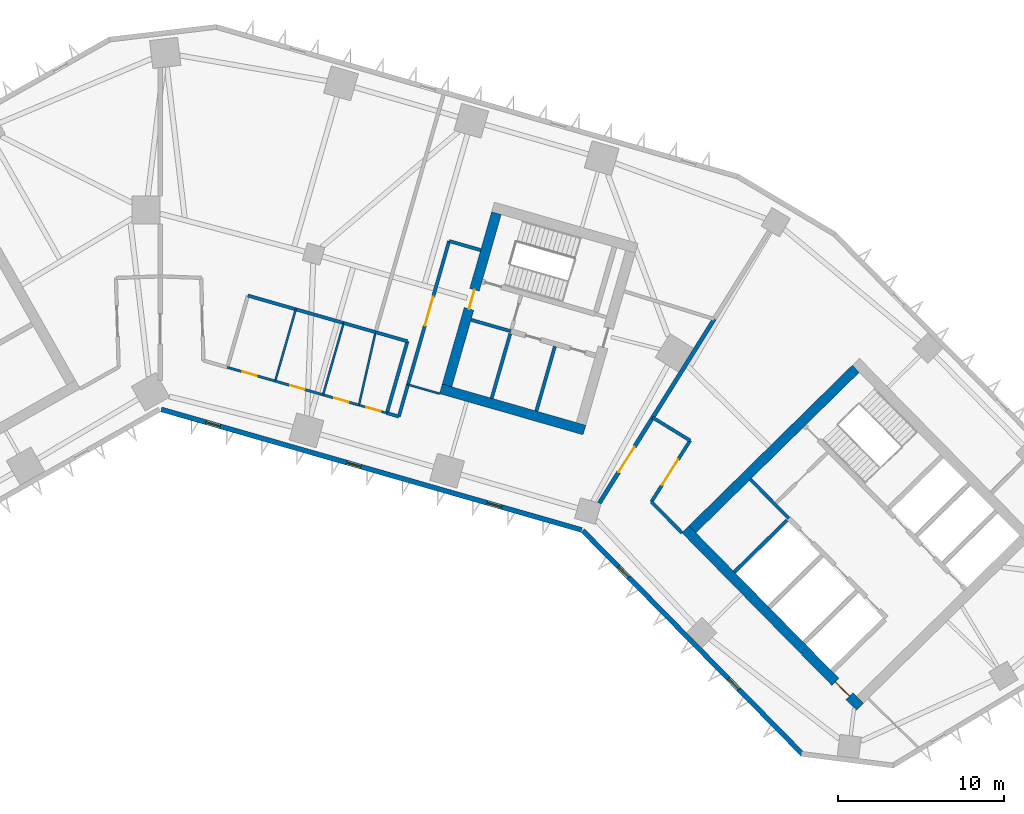
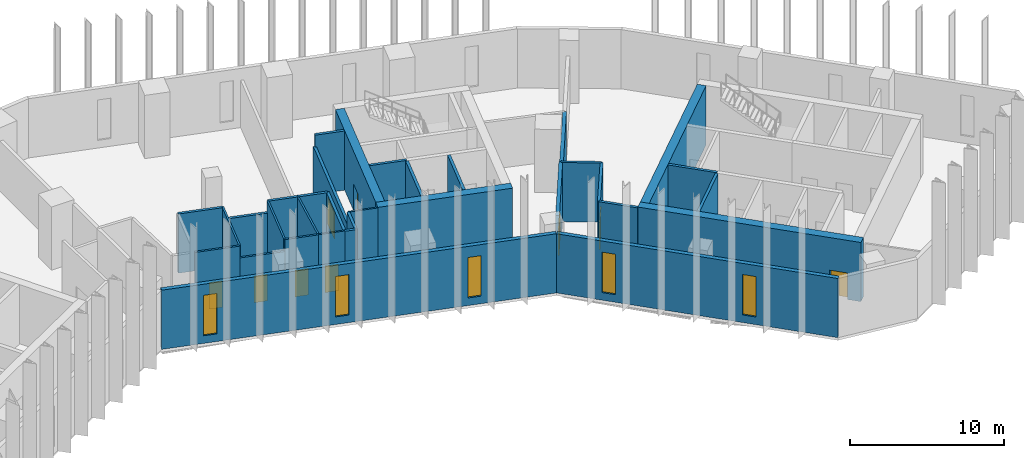
# One storey, part 5 of 11: 33 walls, 9 doors, 5 windows, 14 openings.
"""IFC4 building model written with IfcOpenShell, lengths in metres."""

from ifc_helpers import new_model, si_unit, direction, frame, frame_2d, origin, place, context, subcontext, project, spatial, rectangle, extrude, material, layer, layer_set, type_object, element, fill, save


model = new_model("IFC4")

# Units and contexts
model_context = context("Model", 3, precision=1e-05, world=origin(), true_north=direction((0.0, 1.0)))
body_context = subcontext(model_context, "Body", "Model", "MODEL_VIEW")
ifc_project = project(units=[si_unit("LENGTHUNIT", "METRE"), si_unit("AREAUNIT", "SQUARE_METRE"), si_unit("VOLUMEUNIT", "CUBIC_METRE"), si_unit("PLANEANGLEUNIT", "RADIAN"), si_unit("MASSUNIT", "GRAM", prefix="KILO")], contexts=[model_context])

# Site, building, storey
site_placement = place(None, origin())
site = spatial("IfcSite", under=ifc_project, at=site_placement, CompositionType="ELEMENT")
building_placement = place(site_placement, origin())
building = spatial("IfcBuilding", under=site, at=building_placement, Name="Binnacle Exchange Tower", CompositionType="ELEMENT")
storey_placement = place(building_placement, frame((0.0, 0.0, 36.5)))
storey = spatial("IfcBuildingStorey", under=building, at=storey_placement, Name="L07", CompositionType="ELEMENT", Elevation=36.5)

# Wall
ifc_material_1 = material(Name="Gypsum partition fire rated")
ifc_layer_1 = layer(ifc_material_1, 0.199951171875)
ifc_layer_set_1 = layer_set([ifc_layer_1], Name="Core partition 200")
wall_type_1 = type_object("IfcWallType", Name="Core partition 200", PredefinedType="PARTITIONING", material=ifc_layer_set_1)
wall_1_placement = place(storey_placement, frame((22.664794921875, 47.88330078125, 0.0), z_axis=(0.0, 0.0, 1.0), x_axis=(0.275596769212, 0.961273333033, 0.0)))
element("IfcWall", 1, at=wall_1_placement, inside=storey, type_object=wall_type_1, Name="Core wall CRWD10", PredefinedType="PARTITIONING", context=body_context, shape_type="SweptSolid", body=[
    extrude(rectangle(XDim=4.050048828125, YDim=0.199951171875, at=frame_2d((2.02490234375, 0.0))), origin(), (0.0, 0.0, 1.0), 4.679931640625),
])

# Wall, opening, door
ifc_material_2 = material(Name="Concrete C70/85", Category="concrete")
ifc_layer_2 = layer(ifc_material_2, 0.60009765625)
ifc_layer_set_2 = layer_set([ifc_layer_2], Name="Core wall - outer 600")
wall_type_2 = type_object("IfcWallType", Name="Core wall - outer 600", PredefinedType="SOLIDWALL", material=ifc_layer_set_2)
wall_2_placement = place(storey_placement, frame((31.6455078125, 40.7626953125, 0.0), z_axis=(0.0, 0.0, 1.0), x_axis=(0.700911255944, -0.713248491965, 0.0)))
wall_2 = element("IfcWall", 2, at=wall_2_placement, inside=storey, type_object=wall_type_2, Name="Core wall CRWB1", PredefinedType="SOLIDWALL", context=body_context, shape_type="SweptSolid", body=[
    extrude(rectangle(XDim=15.0, YDim=0.60009765625, at=frame_2d((7.5, 0.0))), origin(), (0.0, 0.0, 1.0), 4.679931640625),
])
opening_1_placement = place(wall_2_placement, frame((12.89990234375, 0.0, 0.0)))
opening_1 = element("IfcOpeningElement", 3, at=opening_1_placement, cuts=wall_2, Name="Opening DB7", PredefinedType="OPENING", context=body_context, shape_type="SweptSolid", body=[
    extrude(rectangle(XDim=1.199951171875, YDim=2.10009765625, at=frame_2d((0.60009765625, 1.050048828125))), frame((0.0, 0.31005859375, 0.0), z_axis=(0.0, -1.0, 0.0), x_axis=(1.0, 0.0, 0.0)), (0.0, 0.0, 1.0), 0.6201171875),
])
ifc_material_3 = material(Name="Steel door leaf", Category="steel")
door_type_1 = type_object("IfcDoorType", Name="Fire door 1200", OperationType="NOTDEFINED", PredefinedType="DOOR", material=ifc_material_3)
door_1_placement = place(opening_1_placement, frame((1.199951171875, 0.0, 0.0), z_axis=(0.0, 0.0, 1.0), x_axis=(-1.0, 0.0, 0.0)))
door_1 = element("IfcDoor", 4, at=door_1_placement, inside=storey, type_object=door_type_1, Name="Lift lobby entrance door core B", OperationType="SINGLE_SWING_LEFT", OverallHeight=2.10009765625, OverallWidth=1.199951171875, PredefinedType="DOOR", context=body_context, shape_type="SweptSolid", body=[
    extrude(rectangle(XDim=1.199951171875, YDim=2.10009765625, at=frame_2d((0.60009765625, 1.050048828125))), frame((0.0, 0.02490234375, 0.0), z_axis=(0.0, -1.0, 0.0), x_axis=(1.0, 0.0, 0.0)), (0.0, 0.0, 1.0), 0.050048828125),
])
fill(opening_1, door_1)

# Walls
wall_3_placement = place(storey_placement, frame((32.06982421875, 40.759033203125, 0.0), z_axis=(0.0, 0.0, 1.0), x_axis=(0.713245344712, 0.70091445858, 0.0)))
element("IfcWall", 5, at=wall_3_placement, inside=storey, type_object=wall_type_2, Name="Core wall CRWB7", PredefinedType="SOLIDWALL", context=body_context, shape_type="SweptSolid", body=[
    extrude(rectangle(XDim=13.800048828125, YDim=0.60009765625, at=frame_2d((6.89990234375, 0.0))), origin(), (0.0, 0.0, 1.0), 4.679931640625),
])
wall_4_placement = place(storey_placement, frame((16.91064453125, 49.22119140625, 0.0), z_axis=(0.0, 0.0, 1.0), x_axis=(0.96126248289, -0.275634611374, 0.0)))
element("IfcWall", 6, at=wall_4_placement, inside=storey, type_object=wall_type_2, Name="Core wall CRWD1", PredefinedType="SOLIDWALL", context=body_context, shape_type="SweptSolid", body=[
    extrude(rectangle(XDim=9.0, YDim=0.60009765625, at=frame_2d((4.5, 0.0))), origin(), (0.0, 0.0, 1.0), 4.679931640625),
])

# Wall, opening, door
wall_5_placement = place(storey_placement, frame((17.28173828125, 49.427001953125, 0.0), z_axis=(0.0, 0.0, 1.0), x_axis=(0.275631631629, 0.961263337304, 0.0)))
wall_5 = element("IfcWall", 7, at=wall_5_placement, inside=storey, type_object=wall_type_2, Name="Core wall CRWD7", PredefinedType="SOLIDWALL", context=body_context, shape_type="SweptSolid", body=[
    extrude(rectangle(XDim=10.800048828125, YDim=0.60009765625, at=frame_2d((5.39990234375, 0.0))), origin(), (0.0, 0.0, 1.0), 4.679931640625),
])
opening_2_placement = place(wall_5_placement, frame((4.800048828125, 0.0, 0.0)))
opening_2 = element("IfcOpeningElement", 8, at=opening_2_placement, cuts=wall_5, Name="Opening DD5", PredefinedType="OPENING", context=body_context, shape_type="SweptSolid", body=[
    extrude(rectangle(XDim=1.199951171875, YDim=2.10009765625, at=frame_2d((0.60009765625, 1.050048828125))), frame((0.0, 0.31005859375, 0.0), z_axis=(0.0, -1.0, 0.0), x_axis=(1.0, 0.0, 0.0)), (0.0, 0.0, 1.0), 0.6201171875),
])
door_2_placement = place(opening_2_placement, origin())
door_2 = element("IfcDoor", 9, at=door_2_placement, inside=storey, type_object=door_type_1, Name="Vestibule exit door VEST-W", OperationType="SINGLE_SWING_RIGHT", OverallHeight=2.10009765625, OverallWidth=1.199951171875, PredefinedType="DOOR", context=body_context, shape_type="SweptSolid", body=[
    extrude(rectangle(XDim=1.199951171875, YDim=2.10009765625, at=frame_2d((0.60009765625, 1.050048828125))), frame((0.0, 0.02490234375, 0.0), z_axis=(0.0, -1.0, 0.0), x_axis=(1.0, 0.0, 0.0)), (0.0, 0.0, 1.0), 0.050048828125),
])
fill(opening_2, door_2)

# Wall, openings, windows
ifc_material_4 = material(Name="Bronze aluminium cladding", Category="aluminium")
ifc_layer_3 = layer(ifc_material_4, 0.300048828125)
ifc_layer_set_3 = layer_set([ifc_layer_3], Name="External wall - spandrel 300")
wall_type_3 = type_object("IfcWallType", Name="External wall - spandrel 300", PredefinedType="STANDARD", material=ifc_layer_set_3)
wall_6_placement = place(storey_placement, frame((25.398193359375, 40.71728515625, 0.0), z_axis=(0.0, 0.0, 1.0), x_axis=(-0.961262423262, 0.275634819324, 0.0)))
wall_6 = element("IfcWall", 10, at=wall_6_placement, inside=storey, type_object=wall_type_3, Name="External wall EW-F08 L07", PredefinedType="STANDARD", context=body_context, shape_type="SweptSolid", body=[
    extrude(rectangle(XDim=26.358642578125, YDim=0.300048828125, at=frame_2d((13.17919921875, 0.0))), origin(), (0.0, 0.0, 1.0), 4.679931640625),
])
opening_3_placement = place(wall_6_placement, frame((22.6640625, 0.0, 0.60009765625)))
opening_3 = element("IfcOpeningElement", 11, at=opening_3_placement, cuts=wall_6, Name="Opening WS1", PredefinedType="OPENING", context=body_context, shape_type="SweptSolid", body=[
    extrude(rectangle(XDim=0.89990234375, YDim=3.199951171875, at=frame_2d((0.449951171875, 1.60009765625))), frame((0.0, 0.159912109375, 0.0), z_axis=(0.0, -1.0, 0.0), x_axis=(1.0, 0.0, 0.0)), (0.0, 0.0, 1.0), 0.320068359375),
])
opening_4_placement = place(wall_6_placement, frame((13.843505859375, 0.0, 0.60009765625)))
opening_4 = element("IfcOpeningElement", 12, at=opening_4_placement, cuts=wall_6, Name="Opening WS1", PredefinedType="OPENING", context=body_context, shape_type="SweptSolid", body=[
    extrude(rectangle(XDim=0.89990234375, YDim=3.199951171875, at=frame_2d((0.449951171875, 1.60009765625))), frame((0.0, 0.159912109375, 0.0), z_axis=(0.0, -1.0, 0.0), x_axis=(1.0, 0.0, 0.0)), (0.0, 0.0, 1.0), 0.320068359375),
])
opening_5_placement = place(wall_6_placement, frame((5.023193359375, 0.0, 0.60009765625)))
opening_5 = element("IfcOpeningElement", 13, at=opening_5_placement, cuts=wall_6, Name="Opening WS1", PredefinedType="OPENING", context=body_context, shape_type="SweptSolid", body=[
    extrude(rectangle(XDim=0.89990234375, YDim=3.199951171875, at=frame_2d((0.449951171875, 1.60009765625))), frame((0.0, 0.159912109375, 0.0), z_axis=(0.0, -1.0, 0.0), x_axis=(1.0, 0.0, 0.0)), (0.0, 0.0, 1.0), 0.320068359375),
])
ifc_material_5 = material(Name="Bronze anodised aluminium frame", Category="aluminium")
window_type = type_object("IfcWindowType", Name="WS1 WINDOW 900x3200", PartitioningType="SINGLE_PANEL", PredefinedType="WINDOW", material=ifc_material_5)
window_1_placement = place(opening_3_placement, origin())
window_1 = element("IfcWindow", 14, at=window_1_placement, inside=storey, type_object=window_type, Name="Window WS1 L07", OverallHeight=3.199951171875, OverallWidth=0.89990234375, PartitioningType="SINGLE_PANEL", PredefinedType="WINDOW", context=body_context, shape_type="SweptSolid", body=[
    extrude(rectangle(XDim=0.89990234375, YDim=3.199951171875, at=frame_2d((0.449951171875, 1.60009765625))), frame((0.0, 0.030029296875, 0.0), z_axis=(0.0, -1.0, 0.0), x_axis=(1.0, 0.0, 0.0)), (0.0, 0.0, 1.0), 0.06005859375),
])
fill(opening_3, window_1)
window_2_placement = place(opening_4_placement, origin())
window_2 = element("IfcWindow", 15, at=window_2_placement, inside=storey, type_object=window_type, Name="Window WS1 L07", OverallHeight=3.199951171875, OverallWidth=0.89990234375, PartitioningType="SINGLE_PANEL", PredefinedType="WINDOW", context=body_context, shape_type="SweptSolid", body=[
    extrude(rectangle(XDim=0.89990234375, YDim=3.199951171875, at=frame_2d((0.449951171875, 1.60009765625))), frame((0.0, 0.030029296875, 0.0), z_axis=(0.0, -1.0, 0.0), x_axis=(1.0, 0.0, 0.0)), (0.0, 0.0, 1.0), 0.06005859375),
])
fill(opening_4, window_2)
window_3_placement = place(opening_5_placement, origin())
window_3 = element("IfcWindow", 16, at=window_3_placement, inside=storey, type_object=window_type, Name="Window WS1 L07", OverallHeight=3.199951171875, OverallWidth=0.89990234375, PartitioningType="SINGLE_PANEL", PredefinedType="WINDOW", context=body_context, shape_type="SweptSolid", body=[
    extrude(rectangle(XDim=0.89990234375, YDim=3.199951171875, at=frame_2d((0.449951171875, 1.60009765625))), frame((0.0, 0.030029296875, 0.0), z_axis=(0.0, -1.0, 0.0), x_axis=(1.0, 0.0, 0.0)), (0.0, 0.0, 1.0), 0.06005859375),
])
fill(opening_5, window_3)

wall_7_placement = place(storey_placement, frame((38.727294921875, 27.18115234375, 0.0), z_axis=(0.0, 0.0, 1.0), x_axis=(-0.700906405975, 0.713253258011, 0.0)))
wall_7 = element("IfcWall", 17, at=wall_7_placement, inside=storey, type_object=wall_type_3, Name="External wall EW-F09 L07", PredefinedType="STANDARD", context=body_context, shape_type="SweptSolid", body=[
    extrude(rectangle(XDim=18.92333984375, YDim=0.300048828125, at=frame_2d((9.461669921875, 0.0))), origin(), (0.0, 0.0, 1.0), 4.679931640625),
])
opening_6_placement = place(wall_7_placement, frame((14.967041015625, 0.0, 0.60009765625)))
opening_6 = element("IfcOpeningElement", 18, at=opening_6_placement, cuts=wall_7, Name="Opening WS1", PredefinedType="OPENING", context=body_context, shape_type="SweptSolid", body=[
    extrude(rectangle(XDim=0.89990234375, YDim=3.199951171875, at=frame_2d((0.449951171875, 1.60009765625))), frame((0.0, 0.159912109375, 0.0), z_axis=(0.0, -1.0, 0.0), x_axis=(1.0, 0.0, 0.0)), (0.0, 0.0, 1.0), 0.320068359375),
])
opening_7_placement = place(wall_7_placement, frame((5.51171875, 0.0, 0.60009765625)))
opening_7 = element("IfcOpeningElement", 19, at=opening_7_placement, cuts=wall_7, Name="Opening WS1", PredefinedType="OPENING", context=body_context, shape_type="SweptSolid", body=[
    extrude(rectangle(XDim=0.89990234375, YDim=3.199951171875, at=frame_2d((0.449951171875, 1.60009765625))), frame((0.0, 0.159912109375, 0.0), z_axis=(0.0, -1.0, 0.0), x_axis=(1.0, 0.0, 0.0)), (0.0, 0.0, 1.0), 0.320068359375),
])
window_4_placement = place(opening_6_placement, origin())
window_4 = element("IfcWindow", 20, at=window_4_placement, inside=storey, type_object=window_type, Name="Window WS1 L07", OverallHeight=3.199951171875, OverallWidth=0.89990234375, PartitioningType="SINGLE_PANEL", PredefinedType="WINDOW", context=body_context, shape_type="SweptSolid", body=[
    extrude(rectangle(XDim=0.89990234375, YDim=3.199951171875, at=frame_2d((0.449951171875, 1.60009765625))), frame((0.0, 0.030029296875, 0.0), z_axis=(0.0, -1.0, 0.0), x_axis=(1.0, 0.0, 0.0)), (0.0, 0.0, 1.0), 0.06005859375),
])
fill(opening_6, window_4)
window_5_placement = place(opening_7_placement, origin())
window_5 = element("IfcWindow", 21, at=window_5_placement, inside=storey, type_object=window_type, Name="Window WS1 L07", OverallHeight=3.199951171875, OverallWidth=0.89990234375, PartitioningType="SINGLE_PANEL", PredefinedType="WINDOW", context=body_context, shape_type="SweptSolid", body=[
    extrude(rectangle(XDim=0.89990234375, YDim=3.199951171875, at=frame_2d((0.449951171875, 1.60009765625))), frame((0.0, 0.030029296875, 0.0), z_axis=(0.0, -1.0, 0.0), x_axis=(1.0, 0.0, 0.0)), (0.0, 0.0, 1.0), 0.06005859375),
])
fill(opening_7, window_5)

# Walls
ifc_material_6 = material(Name="Masonry block wall", Category="masonry")
ifc_layer_4 = layer(ifc_material_6, 0.199951171875)
ifc_layer_set_4 = layer_set([ifc_layer_4], Name="Fire wall - block 200")
wall_type_4 = type_object("IfcWallType", Name="Fire wall - block 200", PredefinedType="PARTITIONING", material=ifc_layer_set_4)
wall_8_placement = place(storey_placement, frame((5.283935546875, 54.843994140625, 0.0), z_axis=(0.0, 0.0, 1.0), x_axis=(0.961243927922, -0.275699312717, 0.0)))
element("IfcWall", 22, at=wall_8_placement, inside=storey, type_object=wall_type_4, Name="Partition W17", PredefinedType="PARTITIONING", context=body_context, shape_type="SweptSolid", body=[
    extrude(rectangle(XDim=2.999267578125, YDim=0.199951171875, at=frame_2d((1.49951171875, 0.0))), origin(), (0.0, 0.0, 1.0), 4.679931640625),
])
wall_9_placement = place(storey_placement, frame((8.1669921875, 54.01708984375, 0.0), z_axis=(0.0, 0.0, 1.0), x_axis=(0.961247103494, -0.275688240636, 0.0)))
element("IfcWall", 23, at=wall_9_placement, inside=storey, type_object=wall_type_4, Name="Partition W20", PredefinedType="PARTITIONING", context=body_context, shape_type="SweptSolid", body=[
    extrude(rectangle(XDim=3.000244140625, YDim=0.199951171875, at=frame_2d((1.5, 0.0))), origin(), (0.0, 0.0, 1.0), 3.741943359375),
])
wall_10_placement = place(storey_placement, frame((11.051025390625, 53.18994140625, 0.0), z_axis=(0.0, 0.0, 1.0), x_axis=(0.961316434736, -0.275446387355, 0.0)))
element("IfcWall", 24, at=wall_10_placement, inside=storey, type_object=wall_type_4, Name="Partition W23", PredefinedType="PARTITIONING", context=body_context, shape_type="SweptSolid", body=[
    extrude(rectangle(XDim=2.00048828125, YDim=0.199951171875, at=frame_2d((1.000244140625, 0.0))), origin(), (0.0, 0.0, 1.0), 4.679931640625),
])
wall_11_placement = place(storey_placement, frame((12.97412109375, 52.638916015625, 0.0), z_axis=(0.0, 0.0, 1.0), x_axis=(0.961270097305, -0.275608055084, 0.0)))
element("IfcWall", 25, at=wall_11_placement, inside=storey, type_object=wall_type_4, Name="Partition W26", PredefinedType="PARTITIONING", context=body_context, shape_type="SweptSolid", body=[
    extrude(rectangle(XDim=1.999267578125, YDim=0.199951171875, at=frame_2d((0.99951171875, 0.0))), origin(), (0.0, 0.0, 1.0), 4.679931640625),
])
wall_12_placement = place(storey_placement, frame((13.656005859375, 47.761962890625, 0.0), z_axis=(0.0, 0.0, 1.0), x_axis=(0.961154610169, -0.276010534854, 0.0)))
element("IfcWall", 26, at=wall_12_placement, inside=storey, type_object=wall_type_4, Name="Partition W28", PredefinedType="PARTITIONING", context=body_context, shape_type="SweptSolid", body=[
    extrude(rectangle(XDim=0.75, YDim=0.199951171875, at=frame_2d((0.375, 0.0))), origin(), (0.0, 0.0, 1.0), 4.679931640625),
])
wall_13_placement = place(storey_placement, frame((13.656005859375, 47.761962890625, 0.0), z_axis=(0.0, 0.0, 1.0), x_axis=(0.275545040649, 0.96128816209, 0.0)))
element("IfcWall", 27, at=wall_13_placement, inside=storey, type_object=wall_type_4, Name="Partition W29", PredefinedType="PARTITIONING", context=body_context, shape_type="SweptSolid", body=[
    extrude(rectangle(XDim=4.500244140625, YDim=0.199951171875, at=frame_2d((2.25, 0.0))), origin(), (0.0, 0.0, 1.0), 4.679931640625),
])
wall_14_placement = place(storey_placement, frame((14.376953125, 47.554931640625, 0.0), z_axis=(0.0, 0.0, 1.0), x_axis=(0.275446387355, 0.961316434736, 0.0)))
element("IfcWall", 28, at=wall_14_placement, inside=storey, type_object=wall_type_4, Name="Partition W30", PredefinedType="PARTITIONING", context=body_context, shape_type="SweptSolid", body=[
    extrude(rectangle(XDim=2.00048828125, YDim=0.199951171875, at=frame_2d((1.000244140625, 0.0))), origin(), (0.0, 0.0, 1.0), 4.679931640625),
])

# Wall, opening, door
wall_15_placement = place(storey_placement, frame((14.927978515625, 49.47802734375, 0.0), z_axis=(0.0, 0.0, 1.0), x_axis=(0.275674053528, 0.961251172281, 0.0)))
wall_15 = element("IfcWall", 29, at=wall_15_placement, inside=storey, type_object=wall_type_4, Name="Partition W32", PredefinedType="PARTITIONING", context=body_context, shape_type="SweptSolid", body=[
    extrude(rectangle(XDim=8.99951171875, YDim=0.199951171875, at=frame_2d((4.499755859375, 0.0))), origin(), (0.0, 0.0, 1.0), 3.741943359375),
])
opening_8_placement = place(wall_15_placement, frame((3.699951171875, 0.0, 0.0)))
opening_8 = element("IfcOpeningElement", 30, at=opening_8_placement, cuts=wall_15, Name="Opening DL05-09", PredefinedType="OPENING", context=body_context, shape_type="SweptSolid", body=[
    extrude(rectangle(XDim=1.800048828125, YDim=2.10009765625, at=frame_2d((0.89990234375, 1.050048828125))), frame((0.0, 0.10986328125, 0.0), z_axis=(0.0, -1.0, 0.0), x_axis=(1.0, 0.0, 0.0)), (0.0, 0.0, 1.0), 0.219970703125),
])
door_type_2 = type_object("IfcDoorType", Name="Fire door 1800", OperationType="NOTDEFINED", PredefinedType="DOOR", material=ifc_material_3)
door_3_placement = place(opening_8_placement, origin())
door_3 = element("IfcDoor", 31, at=door_3_placement, inside=storey, type_object=door_type_2, Name="Door DL05-09", OperationType="DOUBLE_DOOR_SINGLE_SWING", OverallHeight=2.10009765625, OverallWidth=1.800048828125, PredefinedType="DOOR", context=body_context, shape_type="SweptSolid", body=[
    extrude(rectangle(XDim=1.800048828125, YDim=2.10009765625, at=frame_2d((0.89990234375, 1.050048828125))), frame((0.0, 0.02490234375, 0.0), z_axis=(0.0, -1.0, 0.0), x_axis=(1.0, 0.0, 0.0)), (0.0, 0.0, 1.0), 0.050048828125),
])
fill(opening_8, door_3)

# Walls
wall_16_placement = place(storey_placement, frame((17.408935546875, 58.12890625, 0.0), z_axis=(0.0, 0.0, 1.0), x_axis=(0.961253165474, -0.275667103345, 0.0)))
element("IfcWall", 32, at=wall_16_placement, inside=storey, type_object=wall_type_4, Name="Partition W33", PredefinedType="PARTITIONING", context=body_context, shape_type="SweptSolid", body=[
    extrude(rectangle(XDim=1.976806640625, YDim=0.199951171875, at=frame_2d((0.98828125, 0.0))), origin(), (0.0, 0.0, 1.0), 4.679931640625),
])
wall_17_placement = place(storey_placement, frame((29.60009765625, 42.416015625, 0.0), z_axis=(0.0, 0.0, 1.0), x_axis=(0.700914320664, -0.713245480244, 0.0)))
element("IfcWall", 33, at=wall_17_placement, inside=storey, type_object=wall_type_4, Name="Partition W36", PredefinedType="PARTITIONING", context=body_context, shape_type="SweptSolid", body=[
    extrude(rectangle(XDim=2.613525390625, YDim=0.199951171875, at=frame_2d((1.306640625, 0.0))), origin(), (0.0, 0.0, 1.0), 4.679931640625),
])

# Wall, opening, door
wall_18_placement = place(storey_placement, frame((29.60009765625, 42.416015625, 0.0), z_axis=(0.0, 0.0, 1.0), x_axis=(0.533582711531, 0.84574788794, 0.0)))
wall_18 = element("IfcWall", 34, at=wall_18_placement, inside=storey, type_object=wall_type_4, Name="Partition W37", PredefinedType="PARTITIONING", context=body_context, shape_type="SweptSolid", body=[
    extrude(rectangle(XDim=4.366455078125, YDim=0.199951171875, at=frame_2d((2.18310546875, 0.0))), origin(), (0.0, 0.0, 1.0), 4.679931640625),
])
opening_9_placement = place(wall_18_placement, frame((1.199951171875, 0.0, 0.0)))
opening_9 = element("IfcOpeningElement", 35, at=opening_9_placement, cuts=wall_18, Name="Opening DL05-10", PredefinedType="OPENING", context=body_context, shape_type="SweptSolid", body=[
    extrude(rectangle(XDim=1.800048828125, YDim=2.10009765625, at=frame_2d((0.89990234375, 1.050048828125))), frame((0.0, 0.10986328125, 0.0), z_axis=(0.0, -1.0, 0.0), x_axis=(1.0, 0.0, 0.0)), (0.0, 0.0, 1.0), 0.219970703125),
])
door_4_placement = place(opening_9_placement, frame((1.800048828125, 0.0, 0.0), z_axis=(0.0, 0.0, 1.0), x_axis=(-1.0, 0.0, 0.0)))
door_4 = element("IfcDoor", 36, at=door_4_placement, inside=storey, type_object=door_type_2, Name="Door DL05-10", OperationType="DOUBLE_DOOR_SINGLE_SWING", OverallHeight=2.10009765625, OverallWidth=1.800048828125, PredefinedType="DOOR", context=body_context, shape_type="SweptSolid", body=[
    extrude(rectangle(XDim=1.800048828125, YDim=2.10009765625, at=frame_2d((0.89990234375, 1.050048828125))), frame((0.0, 0.02490234375, 0.0), z_axis=(0.0, -1.0, 0.0), x_axis=(1.0, 0.0, 0.0)), (0.0, 0.0, 1.0), 0.050048828125),
])
fill(opening_9, door_4)

# Wall
wall_19_placement = place(storey_placement, frame((29.675048828125, 47.490966796875, 0.0), z_axis=(0.0, 0.0, 1.0), x_axis=(0.852591965232, -0.522577210392, 0.0)))
element("IfcWall", 37, at=wall_19_placement, inside=storey, type_object=wall_type_4, Name="Partition W38", PredefinedType="PARTITIONING", context=body_context, shape_type="SweptSolid", body=[
    extrude(rectangle(XDim=2.644775390625, YDim=0.199951171875, at=frame_2d((1.322265625, 0.0))), origin(), (0.0, 0.0, 1.0), 4.679931640625),
])

# Wall, opening, door
ifc_material_7 = material(Name="Concrete fire wall C30/37", Category="concrete")
ifc_layer_5 = layer(ifc_material_7, 0.25)
ifc_layer_set_5 = layer_set([ifc_layer_5], Name="Fire wall - compartment 250")
wall_type_5 = type_object("IfcWallType", Name="Fire wall - compartment 250", PredefinedType="PARTITIONING", material=ifc_layer_set_5)
wall_20_placement = place(storey_placement, frame((26.4560546875, 42.337890625, 0.0), z_axis=(0.0, 0.0, 1.0), x_axis=(0.52980027265, 0.848122438743, 0.0)))
wall_20 = element("IfcWall", 38, at=wall_20_placement, inside=storey, type_object=wall_type_5, Name="Fire Wall W34", PredefinedType="PARTITIONING", context=body_context, shape_type="SweptSolid", body=[
    extrude(rectangle(XDim=6.075927734375, YDim=0.25, at=frame_2d((3.0380859375, 0.0))), origin(), (0.0, 0.0, 1.0), 4.679931640625),
])
opening_10_placement = place(wall_20_placement, frame((2.199951171875, 0.0, 0.0)))
opening_10 = element("IfcOpeningElement", 39, at=opening_10_placement, cuts=wall_20, Name="Opening DL05-13", PredefinedType="OPENING", context=body_context, shape_type="SweptSolid", body=[
    extrude(rectangle(XDim=1.800048828125, YDim=2.10009765625, at=frame_2d((0.89990234375, 1.050048828125))), frame((0.0, 0.135009765625, 0.0), z_axis=(0.0, -1.0, 0.0), x_axis=(1.0, 0.0, 0.0)), (0.0, 0.0, 1.0), 0.27001953125),
])
door_5_placement = place(opening_10_placement, origin())
door_5 = element("IfcDoor", 40, at=door_5_placement, inside=storey, type_object=door_type_2, Name="Door DL05-13", OperationType="DOUBLE_DOOR_SINGLE_SWING", OverallHeight=2.10009765625, OverallWidth=1.800048828125, PredefinedType="DOOR", context=body_context, shape_type="SweptSolid", body=[
    extrude(rectangle(XDim=1.800048828125, YDim=2.10009765625, at=frame_2d((0.89990234375, 1.050048828125))), frame((0.0, 0.02490234375, 0.0), z_axis=(0.0, -1.0, 0.0), x_axis=(1.0, 0.0, 0.0)), (0.0, 0.0, 1.0), 0.050048828125),
])
fill(opening_10, door_5)

# Wall
wall_21_placement = place(storey_placement, frame((29.675048828125, 47.490966796875, 0.0), z_axis=(0.0, 0.0, 1.0), x_axis=(0.529992669945, 0.848002222759, 0.0)))
element("IfcWall", 41, at=wall_21_placement, inside=storey, type_object=wall_type_5, Name="Fire Wall W39", PredefinedType="PARTITIONING", context=body_context, shape_type="SweptSolid", body=[
    extrude(rectangle(XDim=7.0, YDim=0.25, at=frame_2d((3.5, 0.0))), origin(), (0.0, 0.0, 1.0), 3.741943359375),
])

# Wall, opening, door
ifc_layer_6 = layer(ifc_material_1, 0.14990234375)
ifc_layer_set_6 = layer_set([ifc_layer_6], Name="Fire-rated partition 150")
wall_type_6 = type_object("IfcWallType", Name="Fire-rated partition 150", PredefinedType="PARTITIONING", material=ifc_layer_set_6)
wall_22_placement = place(storey_placement, frame((4.04296875, 50.51806640625, 0.0), z_axis=(0.0, 0.0, 1.0), x_axis=(0.961247103494, -0.275688240636, 0.0)))
wall_22 = element("IfcWall", 42, at=wall_22_placement, inside=storey, type_object=wall_type_6, Name="Partition W16", PredefinedType="PARTITIONING", context=body_context, shape_type="SweptSolid", body=[
    extrude(rectangle(XDim=3.000244140625, YDim=0.14990234375, at=frame_2d((1.5, 0.0))), origin(), (0.0, 0.0, 1.0), 4.679931640625),
])
opening_11_placement = place(wall_22_placement, frame((0.949951171875, 0.0, 0.0)))
opening_11 = element("IfcOpeningElement", 43, at=opening_11_placement, cuts=wall_22, Name="Opening DL05-04", PredefinedType="OPENING", context=body_context, shape_type="SweptSolid", body=[
    extrude(rectangle(XDim=0.89990234375, YDim=2.10009765625, at=frame_2d((0.449951171875, 1.050048828125))), frame((0.0, 0.0849609375, 0.0), z_axis=(0.0, -1.0, 0.0), x_axis=(1.0, 0.0, 0.0)), (0.0, 0.0, 1.0), 0.169921875),
])
door_type_3 = type_object("IfcDoorType", Name="Fire door 900", OperationType="NOTDEFINED", PredefinedType="DOOR", material=ifc_material_3)
door_6_placement = place(opening_11_placement, origin())
door_6 = element("IfcDoor", 44, at=door_6_placement, inside=storey, type_object=door_type_3, Name="Door DL05-04", OperationType="SINGLE_SWING_LEFT", OverallHeight=2.10009765625, OverallWidth=0.89990234375, PredefinedType="DOOR", context=body_context, shape_type="SweptSolid", body=[
    extrude(rectangle(XDim=0.89990234375, YDim=2.10009765625, at=frame_2d((0.449951171875, 1.050048828125))), frame((0.0, 0.02490234375, 0.0), z_axis=(0.0, -1.0, 0.0), x_axis=(1.0, 0.0, 0.0)), (0.0, 0.0, 1.0), 0.050048828125),
])
fill(opening_11, door_6)

wall_23_placement = place(storey_placement, frame((6.927001953125, 49.69091796875, 0.0), z_axis=(0.0, 0.0, 1.0), x_axis=(0.961268664977, -0.27561305073, 0.0)))
wall_23 = element("IfcWall", 45, at=wall_23_placement, inside=storey, type_object=wall_type_6, Name="Partition W19", PredefinedType="PARTITIONING", context=body_context, shape_type="SweptSolid", body=[
    extrude(rectangle(XDim=3.000244140625, YDim=0.14990234375, at=frame_2d((1.5, 0.0))), origin(), (0.0, 0.0, 1.0), 3.741943359375),
])
opening_12_placement = place(wall_23_placement, frame((0.949951171875, 0.0, 0.0)))
opening_12 = element("IfcOpeningElement", 46, at=opening_12_placement, cuts=wall_23, Name="Opening DL05-05", PredefinedType="OPENING", context=body_context, shape_type="SweptSolid", body=[
    extrude(rectangle(XDim=0.89990234375, YDim=2.10009765625, at=frame_2d((0.449951171875, 1.050048828125))), frame((0.0, 0.0849609375, 0.0), z_axis=(0.0, -1.0, 0.0), x_axis=(1.0, 0.0, 0.0)), (0.0, 0.0, 1.0), 0.169921875),
])
door_7_placement = place(opening_12_placement, origin())
door_7 = element("IfcDoor", 47, at=door_7_placement, inside=storey, type_object=door_type_3, Name="Door DL05-05", OperationType="SINGLE_SWING_LEFT", OverallHeight=2.10009765625, OverallWidth=0.89990234375, PredefinedType="DOOR", context=body_context, shape_type="SweptSolid", body=[
    extrude(rectangle(XDim=0.89990234375, YDim=2.10009765625, at=frame_2d((0.449951171875, 1.050048828125))), frame((0.0, 0.02490234375, 0.0), z_axis=(0.0, -1.0, 0.0), x_axis=(1.0, 0.0, 0.0)), (0.0, 0.0, 1.0), 0.050048828125),
])
fill(opening_12, door_7)

wall_24_placement = place(storey_placement, frame((9.81103515625, 48.864013671875, 0.0), z_axis=(0.0, 0.0, 1.0), x_axis=(0.961236680145, -0.275724581318, 0.0)))
wall_24 = element("IfcWall", 48, at=wall_24_placement, inside=storey, type_object=wall_type_6, Name="Partition W22", PredefinedType="PARTITIONING", context=body_context, shape_type="SweptSolid", body=[
    extrude(rectangle(XDim=2.2490234375, YDim=0.14990234375, at=frame_2d((1.12451171875, 0.0))), origin(), (0.0, 0.0, 1.0), 4.679931640625),
])
opening_13_placement = place(wall_24_placement, frame((0.699951171875, 0.0, 0.0)))
opening_13 = element("IfcOpeningElement", 49, at=opening_13_placement, cuts=wall_24, Name="Opening DL05-06", PredefinedType="OPENING", context=body_context, shape_type="SweptSolid", body=[
    extrude(rectangle(XDim=0.89990234375, YDim=2.10009765625, at=frame_2d((0.449951171875, 1.050048828125))), frame((0.0, 0.0849609375, 0.0), z_axis=(0.0, -1.0, 0.0), x_axis=(1.0, 0.0, 0.0)), (0.0, 0.0, 1.0), 0.169921875),
])
door_8_placement = place(opening_13_placement, origin())
door_8 = element("IfcDoor", 50, at=door_8_placement, inside=storey, type_object=door_type_3, Name="Door DL05-06", OperationType="SINGLE_SWING_RIGHT", OverallHeight=2.10009765625, OverallWidth=0.89990234375, PredefinedType="DOOR", context=body_context, shape_type="SweptSolid", body=[
    extrude(rectangle(XDim=0.89990234375, YDim=2.10009765625, at=frame_2d((0.449951171875, 1.050048828125))), frame((0.0, 0.02490234375, 0.0), z_axis=(0.0, -1.0, 0.0), x_axis=(1.0, 0.0, 0.0)), (0.0, 0.0, 1.0), 0.050048828125),
])
fill(opening_13, door_8)

# Walls
ifc_material_8 = material(Name="Gypsum partition")
ifc_layer_7 = layer(ifc_material_8, 0.125)
ifc_layer_set_7 = layer_set([ifc_layer_7], Name="Partition 125")
wall_type_7 = type_object("IfcWallType", Name="Partition 125", PredefinedType="PARTITIONING", material=ifc_layer_set_7)
wall_25_placement = place(storey_placement, frame((6.927001953125, 49.69091796875, 0.0), z_axis=(0.0, 0.0, 1.0), x_axis=(0.275530671241, 0.961292280841, 0.0)))
element("IfcWall", 51, at=wall_25_placement, inside=storey, type_object=wall_type_7, Name="Partition W18", PredefinedType="PARTITIONING", context=body_context, shape_type="SweptSolid", body=[
    extrude(rectangle(XDim=4.50048828125, YDim=0.125, at=frame_2d((2.250244140625, 0.0))), origin(), (0.0, 0.0, 1.0), 4.679931640625),
])
wall_26_placement = place(storey_placement, frame((9.81103515625, 48.864013671875, 0.0), z_axis=(0.0, 0.0, 1.0), x_axis=(0.275545040649, 0.96128816209, 0.0)))
element("IfcWall", 52, at=wall_26_placement, inside=storey, type_object=wall_type_7, Name="Partition W21", PredefinedType="PARTITIONING", context=body_context, shape_type="SweptSolid", body=[
    extrude(rectangle(XDim=4.500244140625, YDim=0.125, at=frame_2d((2.25, 0.0))), origin(), (0.0, 0.0, 1.0), 4.679931640625),
])
wall_27_placement = place(storey_placement, frame((11.972900390625, 48.243896484375, 0.0), z_axis=(0.0, 0.0, 1.0), x_axis=(0.222117362571, 0.975019936845, 0.0)))
element("IfcWall", 53, at=wall_27_placement, inside=storey, type_object=wall_type_7, Name="Partition W24", PredefinedType="PARTITIONING", context=body_context, shape_type="SweptSolid", body=[
    extrude(rectangle(XDim=4.507568359375, YDim=0.125, at=frame_2d((2.25390625, 0.0))), origin(), (0.0, 0.0, 1.0), 4.679931640625),
])

# Wall, opening, door
wall_28_placement = place(storey_placement, frame((11.972900390625, 48.243896484375, 0.0), z_axis=(0.0, 0.0, 1.0), x_axis=(0.96136592135, -0.275273618907, 0.0)))
wall_28 = element("IfcWall", 54, at=wall_28_placement, inside=storey, type_object=wall_type_7, Name="Partition W25", PredefinedType="PARTITIONING", context=body_context, shape_type="SweptSolid", body=[
    extrude(rectangle(XDim=1.750732421875, YDim=0.125, at=frame_2d((0.87548828125, 0.0))), origin(), (0.0, 0.0, 1.0), 4.679931640625),
])
opening_14_placement = place(wall_28_placement, frame((0.449951171875, 0.0, 0.0)))
opening_14 = element("IfcOpeningElement", 55, at=opening_14_placement, cuts=wall_28, Name="Opening DL05-07", PredefinedType="OPENING", context=body_context, shape_type="SweptSolid", body=[
    extrude(rectangle(XDim=0.89990234375, YDim=2.10009765625, at=frame_2d((0.449951171875, 1.050048828125))), frame((0.0, 0.072509765625, 0.0), z_axis=(0.0, -1.0, 0.0), x_axis=(1.0, 0.0, 0.0)), (0.0, 0.0, 1.0), 0.14501953125),
])
ifc_material_9 = material(Name="Timber door leaf", Category="wood")
door_type_4 = type_object("IfcDoorType", Name="Door 900", OperationType="NOTDEFINED", PredefinedType="DOOR", material=ifc_material_9)
door_9_placement = place(opening_14_placement, origin())
door_9 = element("IfcDoor", 56, at=door_9_placement, inside=storey, type_object=door_type_4, Name="Door DL05-07", OperationType="SINGLE_SWING_RIGHT", OverallHeight=2.10009765625, OverallWidth=0.89990234375, PredefinedType="DOOR", context=body_context, shape_type="SweptSolid", body=[
    extrude(rectangle(XDim=0.89990234375, YDim=2.10009765625, at=frame_2d((0.449951171875, 1.050048828125))), frame((0.0, 0.02490234375, 0.0), z_axis=(0.0, -1.0, 0.0), x_axis=(1.0, 0.0, 0.0)), (0.0, 0.0, 1.0), 0.050048828125),
])
fill(opening_14, door_9)

# Walls
wall_29_placement = place(storey_placement, frame((14.927978515625, 49.47802734375, 0.0), z_axis=(0.0, 0.0, 1.0), x_axis=(0.961243778232, -0.27569983462, 0.0)))
element("IfcWall", 57, at=wall_29_placement, inside=storey, type_object=wall_type_7, Name="Partition W31", PredefinedType="PARTITIONING", context=body_context, shape_type="SweptSolid", body=[
    extrude(rectangle(XDim=1.9765625, YDim=0.125, at=frame_2d((0.98828125, 0.0))), origin(), (0.0, 0.0, 1.0), 4.679931640625),
])
ifc_layer_8 = layer(ifc_material_6, 0.199951171875)
ifc_layer_set_8 = layer_set([ifc_layer_8], Name="Riser wall 200")
wall_type_8 = type_object("IfcWallType", Name="Riser wall 200", PredefinedType="SOLIDWALL", material=ifc_layer_set_8)
wall_30_placement = place(storey_placement, frame((35.56103515625, 43.769287109375, 0.0), z_axis=(0.0, 0.0, 1.0), x_axis=(0.70090232736, -0.713257266, 0.0)))
element("IfcWall", 58, at=wall_30_placement, inside=storey, type_object=wall_type_8, Name="Core wall CRWB2", PredefinedType="SOLIDWALL", context=body_context, shape_type="SweptSolid", body=[
    extrude(rectangle(XDim=3.300048828125, YDim=0.199951171875, at=frame_2d((1.64990234375, 0.0))), origin(), (0.0, 0.0, 1.0), 4.679931640625),
])
wall_31_placement = place(storey_placement, frame((34.59326171875, 38.19140625, 0.0), z_axis=(0.0, 0.0, 1.0), x_axis=(0.713252216116, 0.700907466222, 0.0)))
element("IfcWall", 59, at=wall_31_placement, inside=storey, type_object=wall_type_8, Name="Core wall CRWB9", PredefinedType="SOLIDWALL", context=body_context, shape_type="SweptSolid", body=[
    extrude(rectangle(XDim=4.44970703125, YDim=0.199951171875, at=frame_2d((2.224853515625, 0.0))), origin(), (0.0, 0.0, 1.0), 4.679931640625),
])
wall_32_placement = place(storey_placement, frame((18.727783203125, 53.381591796875, 0.0), z_axis=(0.0, 0.0, 1.0), x_axis=(0.961247070632, -0.275688355216, 0.0)))
element("IfcWall", 60, at=wall_32_placement, inside=storey, type_object=wall_type_8, Name="Core wall CRWD2", PredefinedType="SOLIDWALL", context=body_context, shape_type="SweptSolid", body=[
    extrude(rectangle(XDim=2.5, YDim=0.199951171875, at=frame_2d((1.25, 0.0))), origin(), (0.0, 0.0, 1.0), 4.679931640625),
])
wall_33_placement = place(storey_placement, frame((19.97314453125, 48.6552734375, 0.0), z_axis=(0.0, 0.0, 1.0), x_axis=(0.275668441653, 0.961252781674, 0.0)))
element("IfcWall", 61, at=wall_33_placement, inside=storey, type_object=wall_type_8, Name="Core wall CRWD8", PredefinedType="SOLIDWALL", context=body_context, shape_type="SweptSolid", body=[
    extrude(rectangle(XDim=4.050048828125, YDim=0.199951171875, at=frame_2d((2.02490234375, 0.0))), origin(), (0.0, 0.0, 1.0), 4.679931640625),
])

save(model, "model.ifc")
